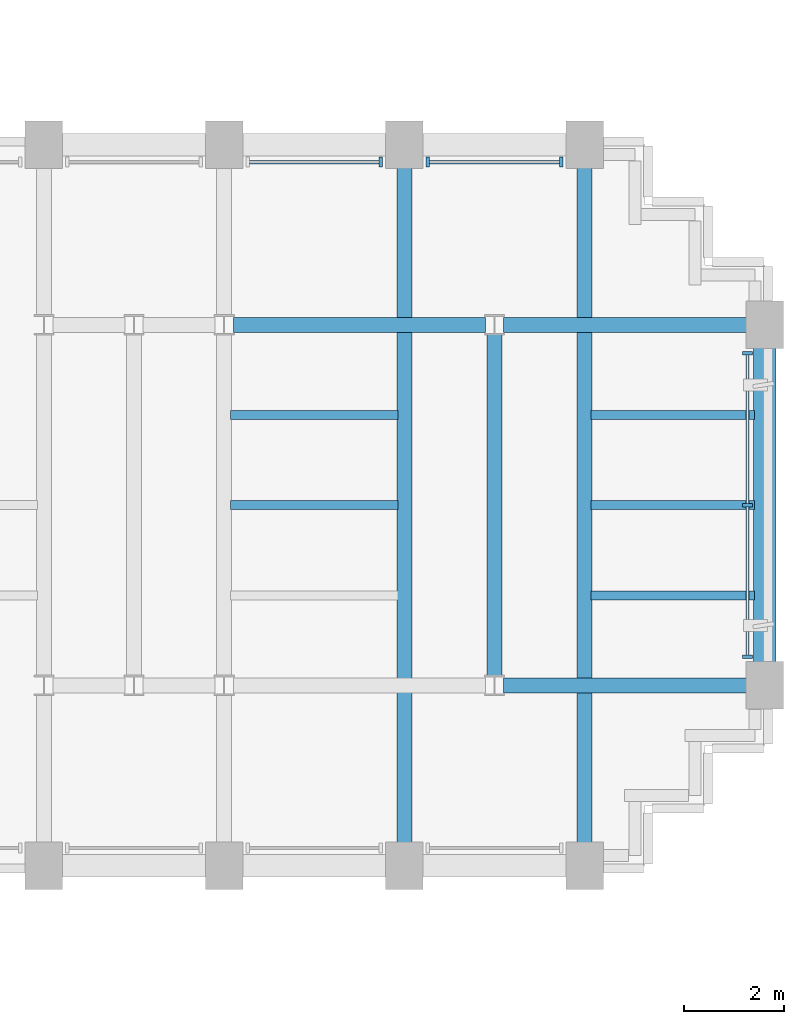
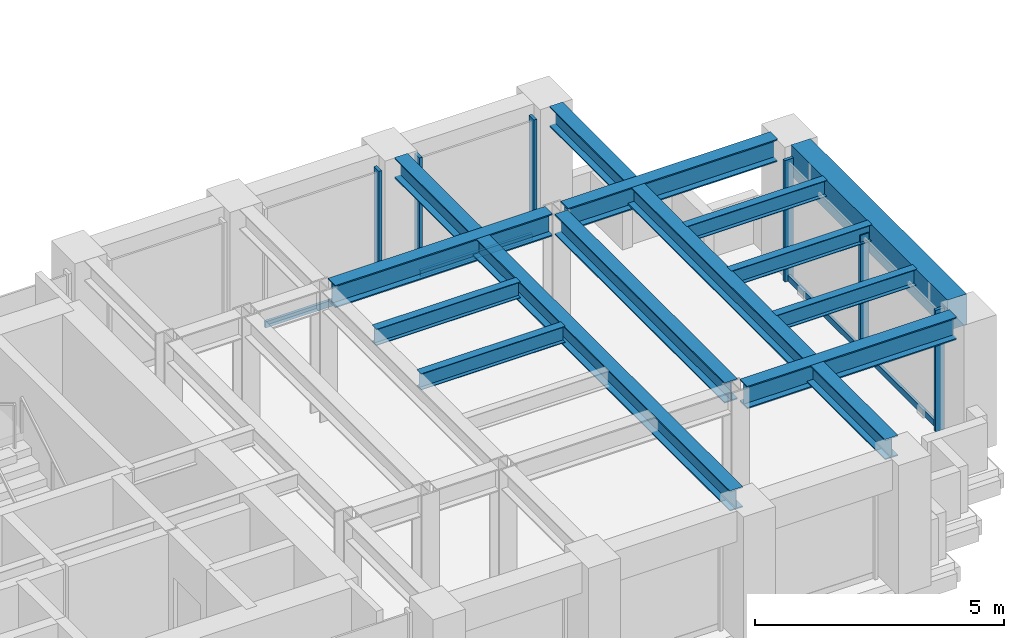
# One storey, part 6 of 16: 12 beams, 10 members, 3 elements without a shape of their own.
"""IFC4 building model written with IfcOpenShell, lengths in metres."""

from ifc_helpers import new_model, si_unit, direction, frame, origin, origin_2d, place, context, subcontext, project, spatial, rectangle, i_section, extrude, source, transform, mapped, material, material_profile, profile_set, type_object, element, aggregate, save


model = new_model("IFC4")

# Units and contexts
model_context = context("Model", 3, precision=1e-05, world=origin(), true_north=direction((0.0, 1.0)))
body_context = subcontext(model_context, "Body", "Model", "MODEL_VIEW")
ifc_project = project(units=[si_unit("LENGTHUNIT", "METRE"), si_unit("AREAUNIT", "SQUARE_METRE"), si_unit("VOLUMEUNIT", "CUBIC_METRE"), si_unit("PLANEANGLEUNIT", "RADIAN"), si_unit("MASSUNIT", "GRAM", prefix="KILO")], contexts=[model_context])

# Site, building, storey
site_placement = place(None, origin())
site = spatial("IfcSite", under=ifc_project, at=site_placement, CompositionType="ELEMENT")
building_placement = place(site_placement, origin())
building = spatial("IfcBuilding", under=site, at=building_placement, Name="Keilestroom Media Tower", CompositionType="ELEMENT")
storey_placement = place(building_placement, frame((0.0, 0.0, 78.199951171875)))
storey = spatial("IfcBuildingStorey", under=building, at=storey_placement, Name="L20", CompositionType="ELEMENT", Elevation=78.199951171875)

# Beams
ifc_material_1 = material(Name="Precast concrete C40/50", Category="concrete")
ifc_material_profile_1 = material_profile(ifc_material_1, rectangle(XDim=0.449951171875, YDim=0.75, at=origin_2d()), Name="PC 450x750")
ifc_profile_set_1 = profile_set([ifc_material_profile_1], Name="Precast concrete C40/50")
beam_type_1 = type_object("IfcBeamType", Name="Perimeter-Spandrel-Beam-PC-450x750", PredefinedType="SPANDREL", material=ifc_profile_set_1)
shared_shape_1 = source(origin(), body_context, "Body", "SweptSolid", [
    extrude(rectangle(XDim=0.449951171875, YDim=0.75, at=origin_2d()), origin(), (0.0, 0.0, 1.0), 6.2900390625),
])
beam_1_placement = place(storey_placement, frame((28.800048828125, -3.14501953125, 2.824951171875), z_axis=(0.0, 1.0, 0.0), x_axis=(-1.0, 0.0, 0.0)))
element("IfcBeam", 1, at=beam_1_placement, inside=storey, type_object=beam_type_1, Name="L20 Beam SPB-1 BM-L20-NS-086", PredefinedType="SPANDREL", context=body_context, shape_type="MappedRepresentation", body=[
    mapped(shared_shape_1, transform((0.0, 0.0, 0.0), x_axis=(1.0, 0.0, 0.0), y_axis=(0.0, 1.0, 0.0), z_axis=(0.0, 0.0, 1.0), scale=1.0)),
])
ifc_material_2 = material(Name="Steel S355", Category="steel")
ifc_material_profile_2 = material_profile(ifc_material_2, i_section(OverallWidth=0.300048828125, OverallDepth=0.550048828125, WebThickness=0.012939453125, FlangeThickness=0.029052734375, at=origin_2d()), Name="HEB 550")
ifc_profile_set_2 = profile_set([ifc_material_profile_2], Name="Steel S355")
beam_type_2 = type_object("IfcBeamType", Name="Primary-Structural-Girder-HEB-550", PredefinedType="BEAM", material=ifc_profile_set_2)
shared_shape_2 = source(origin(), body_context, "Body", "SweptSolid", [
    extrude(i_section(OverallWidth=0.300048828125, OverallDepth=0.550048828125, WebThickness=0.012939453125, FlangeThickness=0.029052734375, at=origin_2d()), origin(), (0.0, 0.0, 1.0), 4.863037109375),
])
for number, where, z_axis, x_axis, name in (
    (2, (23.58203125, -3.60009765625, 2.925048828125), (1.0, 0.0, 0.0), (0.0, 1.0, 0.0), "L20 Beam BG-5 BM-L20-EW-025"),
    (3, (23.58203125, 3.60009765625, 2.925048828125), (1.0, 0.0, 0.0), (0.0, 1.0, 0.0), "L20 Beam BG-5 BM-L20-EW-033"),
):
    element("IfcBeam", number, at=place(storey_placement, frame(where, z_axis=z_axis, x_axis=x_axis)), inside=storey, type_object=beam_type_2, Name=name, PredefinedType="BEAM", context=body_context, shape_type="MappedRepresentation", body=[
        mapped(shared_shape_2, transform((0.0, 0.0, 0.0), x_axis=(1.0, 0.0, 0.0), y_axis=(0.0, 1.0, 0.0), z_axis=(0.0, 0.0, 1.0), scale=1.0)),
    ])
shared_shape_3 = source(origin(), body_context, "Body", "SweptSolid", [
    extrude(i_section(OverallWidth=0.300048828125, OverallDepth=0.550048828125, WebThickness=0.012939453125, FlangeThickness=0.029052734375, at=origin_2d()), origin(), (0.0, 0.0, 1.0), 5.0361328125),
])
beam_2_placement = place(storey_placement, frame((18.181884765625, 3.60009765625, 2.925048828125), z_axis=(1.0, 0.0, 0.0), x_axis=(0.0, 1.0, 0.0)))
element("IfcBeam", 4, at=beam_2_placement, inside=storey, type_object=beam_type_2, Name="L20 Beam BG-5 BM-L20-EW-032", PredefinedType="BEAM", context=body_context, shape_type="MappedRepresentation", body=[
    mapped(shared_shape_3, transform((0.0, 0.0, 0.0), x_axis=(1.0, 0.0, 0.0), y_axis=(0.0, 1.0, 0.0), z_axis=(0.0, 0.0, 1.0), scale=1.0)),
])
ifc_material_profile_3 = material_profile(ifc_material_2, i_section(OverallWidth=0.300048828125, OverallDepth=0.5, WebThickness=0.012451171875, FlangeThickness=0.028076171875, at=origin_2d()), Name="HEB 500")
ifc_profile_set_3 = profile_set([ifc_material_profile_3], Name="Steel S355")
beam_type_3 = type_object("IfcBeamType", Name="Primary-Structural-Girder-HEB-500", PredefinedType="BEAM", material=ifc_profile_set_3)
shared_shape_4 = source(origin(), body_context, "Body", "SweptSolid", [
    extrude(i_section(OverallWidth=0.300048828125, OverallDepth=0.5, WebThickness=0.012451171875, FlangeThickness=0.028076171875, at=origin_2d()), origin(), (0.0, 0.0, 1.0), 13.490234375),
])
for number, where, z_axis, x_axis, name in (
    (5, (21.60009765625, -6.7451171875, 2.949951171875), (0.0, 1.0, 0.0), (-1.0, 0.0, 0.0), "L20 Beam BG-6 BM-L20-NS-083"),
    (6, (25.199951171875, -6.7451171875, 2.949951171875), (0.0, 1.0, 0.0), (-1.0, 0.0, 0.0), "L20 Beam BG-6 BM-L20-NS-085"),
):
    element("IfcBeam", number, at=place(storey_placement, frame(where, z_axis=z_axis, x_axis=x_axis)), inside=storey, type_object=beam_type_3, Name=name, PredefinedType="BEAM", context=body_context, shape_type="MappedRepresentation", body=[
        mapped(shared_shape_4, transform((0.0, 0.0, 0.0), x_axis=(1.0, 0.0, 0.0), y_axis=(0.0, 1.0, 0.0), z_axis=(0.0, 0.0, 1.0), scale=1.0)),
    ])
shared_shape_5 = source(origin(), body_context, "Body", "SweptSolid", [
    extrude(i_section(OverallWidth=0.300048828125, OverallDepth=0.5, WebThickness=0.012451171875, FlangeThickness=0.028076171875, at=origin_2d()), origin(), (0.0, 0.0, 1.0), 6.8330078125),
])
beam_3_placement = place(storey_placement, frame((23.39990234375, -3.41650390625, 2.949951171875), z_axis=(0.0, 1.0, 0.0), x_axis=(-1.0, 0.0, 0.0)))
element("IfcBeam", 7, at=beam_3_placement, inside=storey, type_object=beam_type_3, Name="L20 Beam BG-6 BM-L20-NS-084", PredefinedType="BEAM", context=body_context, shape_type="MappedRepresentation", body=[
    mapped(shared_shape_5, transform((0.0, 0.0, 0.0), x_axis=(1.0, 0.0, 0.0), y_axis=(0.0, 1.0, 0.0), z_axis=(0.0, 0.0, 1.0), scale=1.0)),
])
ifc_material_profile_4 = material_profile(ifc_material_2, i_section(OverallWidth=0.179931640625, OverallDepth=0.39990234375, WebThickness=0.008544921875, FlangeThickness=0.013427734375, at=origin_2d()), Name="IPE 400")
ifc_profile_set_4 = profile_set([ifc_material_profile_4], Name="Steel S355")
beam_type_4 = type_object("IfcBeamType", Name="Secondary-Floor-Joist-IPE-400", PredefinedType="JOIST", material=ifc_profile_set_4)
shared_shape_6 = source(origin(), body_context, "Body", "SweptSolid", [
    extrude(i_section(OverallWidth=0.179931640625, OverallDepth=0.39990234375, WebThickness=0.008544921875, FlangeThickness=0.013427734375, at=origin_2d()), origin(), (0.0, 0.0, 1.0), 3.264892578125),
])
for number, where, z_axis, x_axis, name in (
    (8, (25.330078125, -1.800048828125, 3.0), (1.0, 0.0, 0.0), (0.0, 1.0, 0.0), "L20 Beam BJ-4 JST-L20-095"),
    (9, (25.330078125, 0.0, 3.0), (1.0, 0.0, 0.0), (0.0, 1.0, 0.0), "L20 Beam BJ-4 JST-L20-102"),
    (10, (25.330078125, 1.800048828125, 3.0), (1.0, 0.0, 0.0), (0.0, 1.0, 0.0), "L20 Beam BJ-4 JST-L20-109"),
):
    element("IfcBeam", number, at=place(storey_placement, frame(where, z_axis=z_axis, x_axis=x_axis)), inside=storey, type_object=beam_type_4, Name=name, PredefinedType="JOIST", context=body_context, shape_type="MappedRepresentation", body=[
        mapped(shared_shape_6, transform((0.0, 0.0, 0.0), x_axis=(1.0, 0.0, 0.0), y_axis=(0.0, 1.0, 0.0), z_axis=(0.0, 0.0, 1.0), scale=1.0)),
    ])
shared_shape_7 = source(origin(), body_context, "Body", "SweptSolid", [
    extrude(i_section(OverallWidth=0.179931640625, OverallDepth=0.39990234375, WebThickness=0.008544921875, FlangeThickness=0.013427734375, at=origin_2d()), origin(), (0.0, 0.0, 1.0), 3.340087890625),
])
for number, where, z_axis, x_axis, name in (
    (11, (18.1298828125, 0.0, 3.0), (1.0, 0.0, 0.0), (0.0, 1.0, 0.0), "L20 Beam BJ-4 JST-L20-101"),
    (12, (18.1298828125, 1.800048828125, 3.0), (1.0, 0.0, 0.0), (0.0, 1.0, 0.0), "L20 Beam BJ-4 JST-L20-108"),
):
    element("IfcBeam", number, at=place(storey_placement, frame(where, z_axis=z_axis, x_axis=x_axis)), inside=storey, type_object=beam_type_4, Name=name, PredefinedType="JOIST", context=body_context, shape_type="MappedRepresentation", body=[
        mapped(shared_shape_7, transform((0.0, 0.0, 0.0), x_axis=(1.0, 0.0, 0.0), y_axis=(0.0, 1.0, 0.0), z_axis=(0.0, 0.0, 1.0), scale=1.0)),
    ])

# Curtain wall, members
ifc_material_3 = material(Name="Anodised Aluminium Alloy", Category="aluminium")
curtain_wall_type = type_object("IfcCurtainWallType", Name="Unitised-Curtain-Wall-CW-1", PredefinedType="NOTDEFINED", material=ifc_material_3)
curtain_wall_1_placement = place(storey_placement, origin())
curtain_wall_1 = element("IfcCurtainWall", 13, at=curtain_wall_1_placement, inside=storey, type_object=curtain_wall_type, Name="L20 Curtain Wall CW-1 CW-L20-E-1", PredefinedType="NOTDEFINED")
ifc_material_profile_5 = material_profile(ifc_material_3, rectangle(XDim=0.070068359375, YDim=0.199951171875, at=origin_2d()), Name="ALU MULLION 70x200")
ifc_profile_set_5 = profile_set([ifc_material_profile_5], Name="Anodised Aluminium Alloy")
member_type_1 = type_object("IfcMemberType", Name="Curtain-Wall-Mullion-CW-1", PredefinedType="MULLION", material=ifc_profile_set_5)
shared_shape_8 = source(origin(), body_context, "Body", "SweptSolid", [
    extrude(rectangle(XDim=0.070068359375, YDim=0.199951171875, at=origin_2d()), origin(), (0.0, 0.0, 1.0), 2.97998046875),
])
member_1_placement = place(storey_placement, frame((28.449951171875, -3.030029296875, 0.0), z_axis=(0.0, 0.0, 1.0), x_axis=(0.0, 1.0, 0.0)))
member_1 = element("IfcMember", 14, at=member_1_placement, type_object=member_type_1, Name="CW-1 Mullion 00", PredefinedType="MULLION", context=body_context, shape_type="MappedRepresentation", body=[
    mapped(shared_shape_8, transform((0.0, 0.0, 0.0), x_axis=(1.0, 0.0, 0.0), y_axis=(0.0, 1.0, 0.0), z_axis=(0.0, 0.0, 1.0), scale=1.0)),
])
member_2_placement = place(storey_placement, frame((28.449951171875, 0.0, 0.0), z_axis=(0.0, 0.0, 1.0), x_axis=(0.0, 1.0, 0.0)))
member_2 = element("IfcMember", 15, at=member_2_placement, type_object=member_type_1, Name="CW-1 Mullion 01", PredefinedType="MULLION", context=body_context, shape_type="MappedRepresentation", body=[
    mapped(shared_shape_8, transform((0.0, 0.0, 0.0), x_axis=(1.0, 0.0, 0.0), y_axis=(0.0, 1.0, 0.0), z_axis=(0.0, 0.0, 1.0), scale=1.0)),
])
member_3_placement = place(storey_placement, frame((28.449951171875, 3.030029296875, 0.0), z_axis=(0.0, 0.0, 1.0), x_axis=(0.0, 1.0, 0.0)))
member_3 = element("IfcMember", 16, at=member_3_placement, type_object=member_type_1, Name="CW-1 Mullion 02", PredefinedType="MULLION", context=body_context, shape_type="MappedRepresentation", body=[
    mapped(shared_shape_8, transform((0.0, 0.0, 0.0), x_axis=(1.0, 0.0, 0.0), y_axis=(0.0, 1.0, 0.0), z_axis=(0.0, 0.0, 1.0), scale=1.0)),
])

# Curtain wall, member
curtain_wall_2_placement = place(storey_placement, origin())
curtain_wall_2 = element("IfcCurtainWall", 17, at=curtain_wall_2_placement, inside=storey, type_object=curtain_wall_type, Name="L20 Curtain Wall CW-1 CW-L20-NE-3", PredefinedType="NOTDEFINED")
member_4_placement = place(storey_placement, frame((21.1298828125, 6.85009765625, 0.0), z_axis=(0.0, 0.0, 1.0), x_axis=(1.0, 0.0, 0.0)))
member_4 = element("IfcMember", 18, at=member_4_placement, type_object=member_type_1, Name="CW-1 Mullion 01", PredefinedType="MULLION", context=body_context, shape_type="MappedRepresentation", body=[
    mapped(shared_shape_8, transform((0.0, 0.0, 0.0), x_axis=(1.0, 0.0, 0.0), y_axis=(0.0, 1.0, 0.0), z_axis=(0.0, 0.0, 1.0), scale=1.0)),
])

# Curtain wall, members
curtain_wall_3_placement = place(storey_placement, origin())
curtain_wall_3 = element("IfcCurtainWall", 19, at=curtain_wall_3_placement, inside=storey, type_object=curtain_wall_type, Name="L20 Curtain Wall CW-1 CW-L20-NE-4", PredefinedType="NOTDEFINED")
member_5_placement = place(storey_placement, frame((22.070068359375, 6.85009765625, 0.0), z_axis=(0.0, 0.0, 1.0), x_axis=(1.0, 0.0, 0.0)))
member_5 = element("IfcMember", 20, at=member_5_placement, type_object=member_type_1, Name="CW-1 Mullion 00", PredefinedType="MULLION", context=body_context, shape_type="MappedRepresentation", body=[
    mapped(shared_shape_8, transform((0.0, 0.0, 0.0), x_axis=(1.0, 0.0, 0.0), y_axis=(0.0, 1.0, 0.0), z_axis=(0.0, 0.0, 1.0), scale=1.0)),
])
member_6_placement = place(storey_placement, frame((24.72998046875, 6.85009765625, 0.0), z_axis=(0.0, 0.0, 1.0), x_axis=(1.0, 0.0, 0.0)))
member_6 = element("IfcMember", 21, at=member_6_placement, type_object=member_type_1, Name="CW-1 Mullion 01", PredefinedType="MULLION", context=body_context, shape_type="MappedRepresentation", body=[
    mapped(shared_shape_8, transform((0.0, 0.0, 0.0), x_axis=(1.0, 0.0, 0.0), y_axis=(0.0, 1.0, 0.0), z_axis=(0.0, 0.0, 1.0), scale=1.0)),
])

# Member
ifc_material_profile_6 = material_profile(ifc_material_3, rectangle(XDim=0.06494140625, YDim=0.14990234375, at=origin_2d()), Name="ALU TRANSOM 65x150")
ifc_profile_set_6 = profile_set([ifc_material_profile_6], Name="Anodised Aluminium Alloy")
member_type_2 = type_object("IfcMemberType", Name="Curtain-Wall-Transom-CW-1", PredefinedType="USERDEFINED", material=ifc_profile_set_6)
shared_shape_9 = source(origin(), body_context, "Body", "SweptSolid", [
    extrude(rectangle(XDim=0.06494140625, YDim=0.14990234375, at=origin_2d()), origin(), (0.0, 0.0, 1.0), 2.964111328125),
])
member_7_placement = place(storey_placement, frame((28.449951171875, -2.9970703125, 0.074951171875), z_axis=(0.0, 1.0, 0.0), x_axis=(-1.0, 0.0, 0.0)))
member_7 = element("IfcMember", 22, at=member_7_placement, type_object=member_type_2, Name="CW-1 Transom 00.1", ObjectType="TRANSOM", PredefinedType="USERDEFINED", context=body_context, shape_type="MappedRepresentation", body=[
    mapped(shared_shape_9, transform((0.0, 0.0, 0.0), x_axis=(1.0, 0.0, 0.0), y_axis=(0.0, 1.0, 0.0), z_axis=(0.0, 0.0, 1.0), scale=1.0)),
])

member_8_placement = place(storey_placement, frame((28.449951171875, 0.032958984375, 0.074951171875), z_axis=(0.0, 1.0, 0.0), x_axis=(-1.0, 0.0, 0.0)))
member_8 = element("IfcMember", 23, at=member_8_placement, type_object=member_type_2, Name="CW-1 Transom 01.1", ObjectType="TRANSOM", PredefinedType="USERDEFINED", context=body_context, shape_type="MappedRepresentation", body=[
    mapped(shared_shape_9, transform((0.0, 0.0, 0.0), x_axis=(1.0, 0.0, 0.0), y_axis=(0.0, 1.0, 0.0), z_axis=(0.0, 0.0, 1.0), scale=1.0)),
])

aggregate(curtain_wall_1, [member_1, member_2, member_3, member_7, member_8])

shared_shape_10 = source(origin(), body_context, "Body", "SweptSolid", [
    extrude(rectangle(XDim=0.06494140625, YDim=0.14990234375, at=origin_2d()), origin(), (0.0, 0.0, 1.0), 2.593994140625),
])
member_9_placement = place(storey_placement, frame((18.5029296875, 6.85009765625, 0.074951171875), z_axis=(1.0, 0.0, 0.0), x_axis=(0.0, 1.0, 0.0)))
member_9 = element("IfcMember", 24, at=member_9_placement, type_object=member_type_2, Name="CW-1 Transom 00.1", ObjectType="TRANSOM", PredefinedType="USERDEFINED", context=body_context, shape_type="MappedRepresentation", body=[
    mapped(shared_shape_10, transform((0.0, 0.0, 0.0), x_axis=(1.0, 0.0, 0.0), y_axis=(0.0, 1.0, 0.0), z_axis=(0.0, 0.0, 1.0), scale=1.0)),
])

aggregate(curtain_wall_2, [member_4, member_9])

member_10_placement = place(storey_placement, frame((22.10302734375, 6.85009765625, 0.074951171875), z_axis=(1.0, 0.0, 0.0), x_axis=(0.0, 1.0, 0.0)))
member_10 = element("IfcMember", 25, at=member_10_placement, type_object=member_type_2, Name="CW-1 Transom 00.1", ObjectType="TRANSOM", PredefinedType="USERDEFINED", context=body_context, shape_type="MappedRepresentation", body=[
    mapped(shared_shape_10, transform((0.0, 0.0, 0.0), x_axis=(1.0, 0.0, 0.0), y_axis=(0.0, 1.0, 0.0), z_axis=(0.0, 0.0, 1.0), scale=1.0)),
])

aggregate(curtain_wall_3, [member_5, member_6, member_10])

save(model, "model.ifc")
